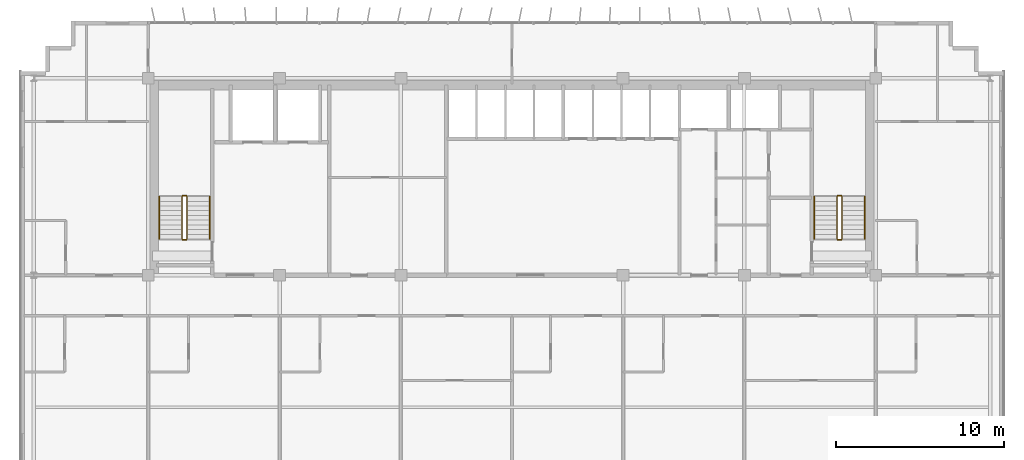
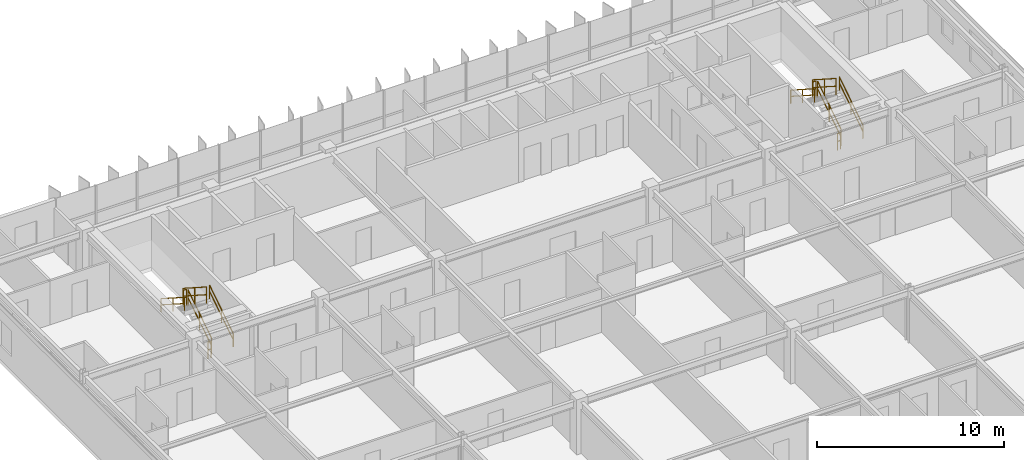
# One storey, part 23 of 23: 12 railings.
"""IFC4 building model written with IfcOpenShell, lengths in metres."""

from ifc_helpers import new_model, si_unit, direction, frame, origin, origin_2d, place, context, subcontext, project, spatial, rectangle, extrude, material, type_object, element, save


model = new_model("IFC4")

# Units and contexts
model_context = context("Model", 3, precision=1e-05, world=origin(), true_north=direction((0.0, 1.0)))
body_context = subcontext(model_context, "Body", "Model", "MODEL_VIEW")
ifc_project = project(units=[si_unit("LENGTHUNIT", "METRE"), si_unit("AREAUNIT", "SQUARE_METRE"), si_unit("VOLUMEUNIT", "CUBIC_METRE"), si_unit("PLANEANGLEUNIT", "RADIAN"), si_unit("MASSUNIT", "GRAM", prefix="KILO")], contexts=[model_context])

# Site, building, storey
site_placement = place(None, origin())
site = spatial("IfcSite", under=ifc_project, at=site_placement, CompositionType="ELEMENT")
building_placement = place(site_placement, origin())
building = spatial("IfcBuilding", under=site, at=building_placement, Name="Trelvane Seafront Commons", CompositionType="ELEMENT")
storey_placement = place(building_placement, frame((0.0, 0.0, 219.300048828125)))
storey = spatial("IfcBuildingStorey", under=building, at=storey_placement, Name="L57", CompositionType="ELEMENT", Elevation=219.300048828125)

# Railings
ifc_material = material(Name="Stainless steel balustrade", Category="steel")
railing_type_1 = type_object("IfcRailingType", Name="ARCH-SRL-GUARD", PredefinedType="GUARDRAIL", material=ifc_material)
railing_1_placement = place(storey_placement, frame((17.89990234375, 35.550048828125, 0.179931640625)))
element("IfcRailing", 1, at=railing_1_placement, inside=storey, type_object=railing_type_1, Name="L57 ST-1 stair guard 1", PredefinedType="GUARDRAIL", context=body_context, shape_type="SweptSolid", body=[
    extrude(rectangle(XDim=0.048095703125, YDim=0.048095703125, at=origin_2d()), frame((0.0, 0.0, 1.076171875), z_axis=(0.0, 0.841162588446, 0.540782303519), x_axis=(-1.0, 0.0, 0.0)), (0.0, 0.0, 1.0), 2.995849609375),
    extrude(rectangle(XDim=0.048095703125, YDim=0.048095703125, at=origin_2d()), frame((0.0, 0.0, 0.572021484375), z_axis=(0.0, 0.841162588446, 0.540782303519), x_axis=(-1.0, 0.0, 0.0)), (0.0, 0.0, 1.0), 2.995849609375),
    extrude(rectangle(XDim=0.0419921875, YDim=0.0419921875, at=origin_2d()), origin(), (0.0, 0.0, 1.0), 1.076171875),
    extrude(rectangle(XDim=0.0419921875, YDim=0.0419921875, at=origin_2d()), frame((0.0, 1.260009765625, 0.81005859375)), (0.0, 0.0, 1.0), 1.076171875),
    extrude(rectangle(XDim=0.0419921875, YDim=0.0419921875, at=origin_2d()), frame((0.0, 2.52001953125, 1.6201171875)), (0.0, 0.0, 1.0), 1.076171875),
])
railing_2_placement = place(storey_placement, frame((17.85009765625, 38.1201171875, 1.800048828125)))
element("IfcRailing", 2, at=railing_2_placement, inside=storey, type_object=railing_type_1, Name="L57 ST-1 stair guard 2", PredefinedType="GUARDRAIL", context=body_context, shape_type="SweptSolid", body=[
    extrude(rectangle(XDim=0.048095703125, YDim=0.048095703125, at=origin_2d()), frame((0.0, 0.0, 1.076171875), z_axis=(-1.0, 0.0, 0.0), x_axis=(0.0, -1.0, 0.0)), (0.0, 0.0, 1.0), 0.2001953125),
    extrude(rectangle(XDim=0.048095703125, YDim=0.048095703125, at=origin_2d()), frame((0.0, 0.0, 0.572021484375), z_axis=(-1.0, 0.0, 0.0), x_axis=(0.0, -1.0, 0.0)), (0.0, 0.0, 1.0), 0.2001953125),
    extrude(rectangle(XDim=0.0419921875, YDim=0.0419921875, at=origin_2d()), origin(), (0.0, 0.0, 1.0), 1.076171875),
    extrude(rectangle(XDim=0.0419921875, YDim=0.0419921875, at=origin_2d()), frame((-0.2001953125, 0.0, 0.0)), (0.0, 0.0, 1.0), 1.076171875),
])
railing_3_placement = place(storey_placement, frame((17.60009765625, 38.070068359375, 1.97998046875)))
element("IfcRailing", 3, at=railing_3_placement, inside=storey, type_object=railing_type_1, Name="L57 ST-1 stair guard 3", PredefinedType="GUARDRAIL", context=body_context, shape_type="SweptSolid", body=[
    extrude(rectangle(XDim=0.048095703125, YDim=0.048095703125, at=origin_2d()), frame((0.0, 0.0, 1.076171875), z_axis=(0.0, -0.841199657755, 0.540724639528), x_axis=(1.0, 0.0, 0.0)), (0.0, 0.0, 1.0), 2.995849609375),
    extrude(rectangle(XDim=0.048095703125, YDim=0.048095703125, at=origin_2d()), frame((0.0, 0.0, 0.572021484375), z_axis=(0.0, -0.841199657755, 0.540724639528), x_axis=(1.0, 0.0, 0.0)), (0.0, 0.0, 1.0), 2.995849609375),
    extrude(rectangle(XDim=0.0419921875, YDim=0.0419921875, at=origin_2d()), origin(), (0.0, 0.0, 1.0), 1.076171875),
    extrude(rectangle(XDim=0.0419921875, YDim=0.0419921875, at=origin_2d()), frame((0.0, -1.260009765625, 0.81005859375)), (0.0, 0.0, 1.0), 1.076171875),
    extrude(rectangle(XDim=0.0419921875, YDim=0.0419921875, at=origin_2d()), frame((0.0, -2.52001953125, 1.619873046875)), (0.0, 0.0, 1.0), 1.076171875),
])
railing_4_placement = place(storey_placement, frame((17.85009765625, 35.5, 0.0)))
element("IfcRailing", 4, at=railing_4_placement, inside=storey, type_object=railing_type_1, Name="L57 ST-1 stair guard 4", PredefinedType="GUARDRAIL", context=body_context, shape_type="SweptSolid", body=[
    extrude(rectangle(XDim=0.048095703125, YDim=0.048095703125, at=origin_2d()), frame((0.0, 0.0, 1.076171875), z_axis=(-1.0, 0.0, 0.0), x_axis=(0.0, -1.0, 0.0)), (0.0, 0.0, 1.0), 0.2001953125),
    extrude(rectangle(XDim=0.048095703125, YDim=0.048095703125, at=origin_2d()), frame((0.0, 0.0, 0.572021484375), z_axis=(-1.0, 0.0, 0.0), x_axis=(0.0, -1.0, 0.0)), (0.0, 0.0, 1.0), 0.2001953125),
    extrude(rectangle(XDim=0.0419921875, YDim=0.0419921875, at=origin_2d()), origin(), (0.0, 0.0, 1.0), 1.076171875),
    extrude(rectangle(XDim=0.0419921875, YDim=0.0419921875, at=origin_2d()), frame((-0.2001953125, 0.0, 0.0)), (0.0, 0.0, 1.0), 1.076171875),
])
railing_5_placement = place(storey_placement, frame((56.800048828125, 35.550048828125, 0.179931640625)))
element("IfcRailing", 5, at=railing_5_placement, inside=storey, type_object=railing_type_1, Name="L57 ST-2 stair guard 1", PredefinedType="GUARDRAIL", context=body_context, shape_type="SweptSolid", body=[
    extrude(rectangle(XDim=0.048095703125, YDim=0.048095703125, at=origin_2d()), frame((0.0, 0.0, 1.076171875), z_axis=(0.0, 0.841162588446, 0.540782303519), x_axis=(-1.0, 0.0, 0.0)), (0.0, 0.0, 1.0), 2.995849609375),
    extrude(rectangle(XDim=0.048095703125, YDim=0.048095703125, at=origin_2d()), frame((0.0, 0.0, 0.572021484375), z_axis=(0.0, 0.841162588446, 0.540782303519), x_axis=(-1.0, 0.0, 0.0)), (0.0, 0.0, 1.0), 2.995849609375),
    extrude(rectangle(XDim=0.0419921875, YDim=0.0419921875, at=origin_2d()), origin(), (0.0, 0.0, 1.0), 1.076171875),
    extrude(rectangle(XDim=0.0419921875, YDim=0.0419921875, at=origin_2d()), frame((0.0, 1.260009765625, 0.81005859375)), (0.0, 0.0, 1.0), 1.076171875),
    extrude(rectangle(XDim=0.0419921875, YDim=0.0419921875, at=origin_2d()), frame((0.0, 2.52001953125, 1.6201171875)), (0.0, 0.0, 1.0), 1.076171875),
])
railing_6_placement = place(storey_placement, frame((56.75, 38.1201171875, 1.800048828125)))
element("IfcRailing", 6, at=railing_6_placement, inside=storey, type_object=railing_type_1, Name="L57 ST-2 stair guard 2", PredefinedType="GUARDRAIL", context=body_context, shape_type="SweptSolid", body=[
    extrude(rectangle(XDim=0.048095703125, YDim=0.048095703125, at=origin_2d()), frame((0.0, 0.0, 1.076171875), z_axis=(-1.0, 0.0, 0.0), x_axis=(0.0, -1.0, 0.0)), (0.0, 0.0, 1.0), 0.199951171875),
    extrude(rectangle(XDim=0.048095703125, YDim=0.048095703125, at=origin_2d()), frame((0.0, 0.0, 0.572021484375), z_axis=(-1.0, 0.0, 0.0), x_axis=(0.0, -1.0, 0.0)), (0.0, 0.0, 1.0), 0.199951171875),
    extrude(rectangle(XDim=0.0419921875, YDim=0.0419921875, at=origin_2d()), origin(), (0.0, 0.0, 1.0), 1.076171875),
    extrude(rectangle(XDim=0.0419921875, YDim=0.0419921875, at=origin_2d()), frame((-0.199951171875, 0.0, 0.0)), (0.0, 0.0, 1.0), 1.076171875),
])
railing_7_placement = place(storey_placement, frame((56.5, 38.070068359375, 1.97998046875)))
element("IfcRailing", 7, at=railing_7_placement, inside=storey, type_object=railing_type_1, Name="L57 ST-2 stair guard 3", PredefinedType="GUARDRAIL", context=body_context, shape_type="SweptSolid", body=[
    extrude(rectangle(XDim=0.048095703125, YDim=0.048095703125, at=origin_2d()), frame((0.0, 0.0, 1.076171875), z_axis=(0.0, -0.841199657755, 0.540724639528), x_axis=(1.0, 0.0, 0.0)), (0.0, 0.0, 1.0), 2.995849609375),
    extrude(rectangle(XDim=0.048095703125, YDim=0.048095703125, at=origin_2d()), frame((0.0, 0.0, 0.572021484375), z_axis=(0.0, -0.841199657755, 0.540724639528), x_axis=(1.0, 0.0, 0.0)), (0.0, 0.0, 1.0), 2.995849609375),
    extrude(rectangle(XDim=0.0419921875, YDim=0.0419921875, at=origin_2d()), origin(), (0.0, 0.0, 1.0), 1.076171875),
    extrude(rectangle(XDim=0.0419921875, YDim=0.0419921875, at=origin_2d()), frame((0.0, -1.260009765625, 0.81005859375)), (0.0, 0.0, 1.0), 1.076171875),
    extrude(rectangle(XDim=0.0419921875, YDim=0.0419921875, at=origin_2d()), frame((0.0, -2.52001953125, 1.619873046875)), (0.0, 0.0, 1.0), 1.076171875),
])
railing_8_placement = place(storey_placement, frame((56.75, 35.5, 0.0)))
element("IfcRailing", 8, at=railing_8_placement, inside=storey, type_object=railing_type_1, Name="L57 ST-2 stair guard 4", PredefinedType="GUARDRAIL", context=body_context, shape_type="SweptSolid", body=[
    extrude(rectangle(XDim=0.048095703125, YDim=0.048095703125, at=origin_2d()), frame((0.0, 0.0, 1.076171875), z_axis=(-1.0, 0.0, 0.0), x_axis=(0.0, -1.0, 0.0)), (0.0, 0.0, 1.0), 0.199951171875),
    extrude(rectangle(XDim=0.048095703125, YDim=0.048095703125, at=origin_2d()), frame((0.0, 0.0, 0.572021484375), z_axis=(-1.0, 0.0, 0.0), x_axis=(0.0, -1.0, 0.0)), (0.0, 0.0, 1.0), 0.199951171875),
    extrude(rectangle(XDim=0.0419921875, YDim=0.0419921875, at=origin_2d()), origin(), (0.0, 0.0, 1.0), 1.076171875),
    extrude(rectangle(XDim=0.0419921875, YDim=0.0419921875, at=origin_2d()), frame((-0.199951171875, 0.0, 0.0)), (0.0, 0.0, 1.0), 1.076171875),
])
railing_type_2 = type_object("IfcRailingType", Name="ARCH-SRL-HAND", PredefinedType="HANDRAIL", material=ifc_material)
railing_9_placement = place(storey_placement, frame((19.25, 35.550048828125, 0.179931640625)))
element("IfcRailing", 9, at=railing_9_placement, inside=storey, type_object=railing_type_2, Name="L57 ST-1 stair handrail 1", PredefinedType="HANDRAIL", context=body_context, shape_type="SweptSolid", body=[
    extrude(rectangle(XDim=0.048095703125, YDim=0.048095703125, at=origin_2d()), frame((0.0, 0.0, 0.8759765625), z_axis=(0.0, 0.841162588446, 0.540782303519), x_axis=(-1.0, 0.0, 0.0)), (0.0, 0.0, 1.0), 2.995849609375),
    extrude(rectangle(XDim=0.048095703125, YDim=0.048095703125, at=origin_2d()), frame((0.0, 0.0, 0.468017578125), z_axis=(0.0, 0.841162588446, 0.540782303519), x_axis=(-1.0, 0.0, 0.0)), (0.0, 0.0, 1.0), 2.995849609375),
    extrude(rectangle(XDim=0.0419921875, YDim=0.0419921875, at=origin_2d()), origin(), (0.0, 0.0, 1.0), 0.8759765625),
    extrude(rectangle(XDim=0.0419921875, YDim=0.0419921875, at=origin_2d()), frame((0.0, 1.260009765625, 0.81005859375)), (0.0, 0.0, 1.0), 0.8759765625),
    extrude(rectangle(XDim=0.0419921875, YDim=0.0419921875, at=origin_2d()), frame((0.0, 2.52001953125, 1.6201171875)), (0.0, 0.0, 1.0), 0.8759765625),
])
railing_10_placement = place(storey_placement, frame((16.25, 38.070068359375, 1.97998046875)))
element("IfcRailing", 10, at=railing_10_placement, inside=storey, type_object=railing_type_2, Name="L57 ST-1 stair handrail 2", PredefinedType="HANDRAIL", context=body_context, shape_type="SweptSolid", body=[
    extrude(rectangle(XDim=0.048095703125, YDim=0.048095703125, at=origin_2d()), frame((0.0, 0.0, 0.8759765625), z_axis=(0.0, -0.841199657755, 0.540724639528), x_axis=(1.0, 0.0, 0.0)), (0.0, 0.0, 1.0), 2.995849609375),
    extrude(rectangle(XDim=0.048095703125, YDim=0.048095703125, at=origin_2d()), frame((0.0, 0.0, 0.468017578125), z_axis=(0.0, -0.841199657755, 0.540724639528), x_axis=(1.0, 0.0, 0.0)), (0.0, 0.0, 1.0), 2.995849609375),
    extrude(rectangle(XDim=0.0419921875, YDim=0.0419921875, at=origin_2d()), origin(), (0.0, 0.0, 1.0), 0.8759765625),
    extrude(rectangle(XDim=0.0419921875, YDim=0.0419921875, at=origin_2d()), frame((0.0, -1.260009765625, 0.81005859375)), (0.0, 0.0, 1.0), 0.8759765625),
    extrude(rectangle(XDim=0.0419921875, YDim=0.0419921875, at=origin_2d()), frame((0.0, -2.52001953125, 1.619873046875)), (0.0, 0.0, 1.0), 0.8759765625),
])
railing_11_placement = place(storey_placement, frame((58.14990234375, 35.550048828125, 0.179931640625)))
element("IfcRailing", 11, at=railing_11_placement, inside=storey, type_object=railing_type_2, Name="L57 ST-2 stair handrail 1", PredefinedType="HANDRAIL", context=body_context, shape_type="SweptSolid", body=[
    extrude(rectangle(XDim=0.048095703125, YDim=0.048095703125, at=origin_2d()), frame((0.0, 0.0, 0.8759765625), z_axis=(0.0, 0.841162588446, 0.540782303519), x_axis=(-1.0, 0.0, 0.0)), (0.0, 0.0, 1.0), 2.995849609375),
    extrude(rectangle(XDim=0.048095703125, YDim=0.048095703125, at=origin_2d()), frame((0.0, 0.0, 0.468017578125), z_axis=(0.0, 0.841162588446, 0.540782303519), x_axis=(-1.0, 0.0, 0.0)), (0.0, 0.0, 1.0), 2.995849609375),
    extrude(rectangle(XDim=0.0419921875, YDim=0.0419921875, at=origin_2d()), origin(), (0.0, 0.0, 1.0), 0.8759765625),
    extrude(rectangle(XDim=0.0419921875, YDim=0.0419921875, at=origin_2d()), frame((0.0, 1.260009765625, 0.81005859375)), (0.0, 0.0, 1.0), 0.8759765625),
    extrude(rectangle(XDim=0.0419921875, YDim=0.0419921875, at=origin_2d()), frame((0.0, 2.52001953125, 1.6201171875)), (0.0, 0.0, 1.0), 0.8759765625),
])
railing_12_placement = place(storey_placement, frame((55.14990234375, 38.070068359375, 1.97998046875)))
element("IfcRailing", 12, at=railing_12_placement, inside=storey, type_object=railing_type_2, Name="L57 ST-2 stair handrail 2", PredefinedType="HANDRAIL", context=body_context, shape_type="SweptSolid", body=[
    extrude(rectangle(XDim=0.048095703125, YDim=0.048095703125, at=origin_2d()), frame((0.0, 0.0, 0.8759765625), z_axis=(0.0, -0.841199657755, 0.540724639528), x_axis=(1.0, 0.0, 0.0)), (0.0, 0.0, 1.0), 2.995849609375),
    extrude(rectangle(XDim=0.048095703125, YDim=0.048095703125, at=origin_2d()), frame((0.0, 0.0, 0.468017578125), z_axis=(0.0, -0.841199657755, 0.540724639528), x_axis=(1.0, 0.0, 0.0)), (0.0, 0.0, 1.0), 2.995849609375),
    extrude(rectangle(XDim=0.0419921875, YDim=0.0419921875, at=origin_2d()), origin(), (0.0, 0.0, 1.0), 0.8759765625),
    extrude(rectangle(XDim=0.0419921875, YDim=0.0419921875, at=origin_2d()), frame((0.0, -1.260009765625, 0.81005859375)), (0.0, 0.0, 1.0), 0.8759765625),
    extrude(rectangle(XDim=0.0419921875, YDim=0.0419921875, at=origin_2d()), frame((0.0, -2.52001953125, 1.619873046875)), (0.0, 0.0, 1.0), 0.8759765625),
])

save(model, "model.ifc")
